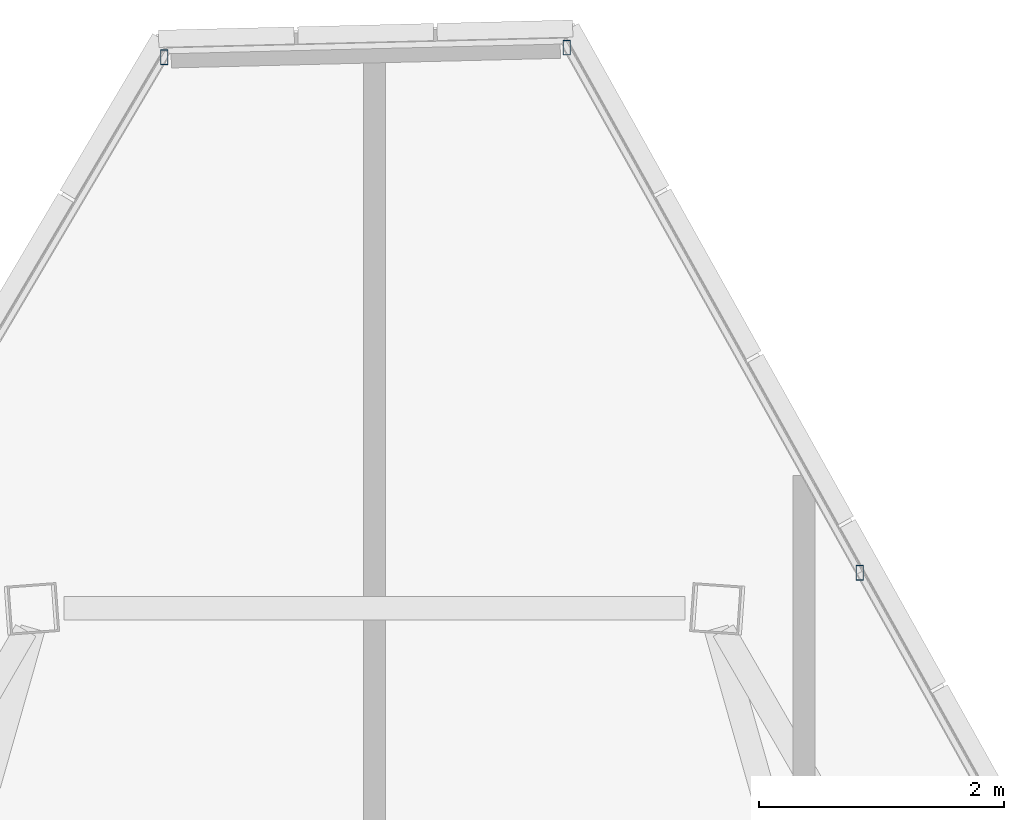
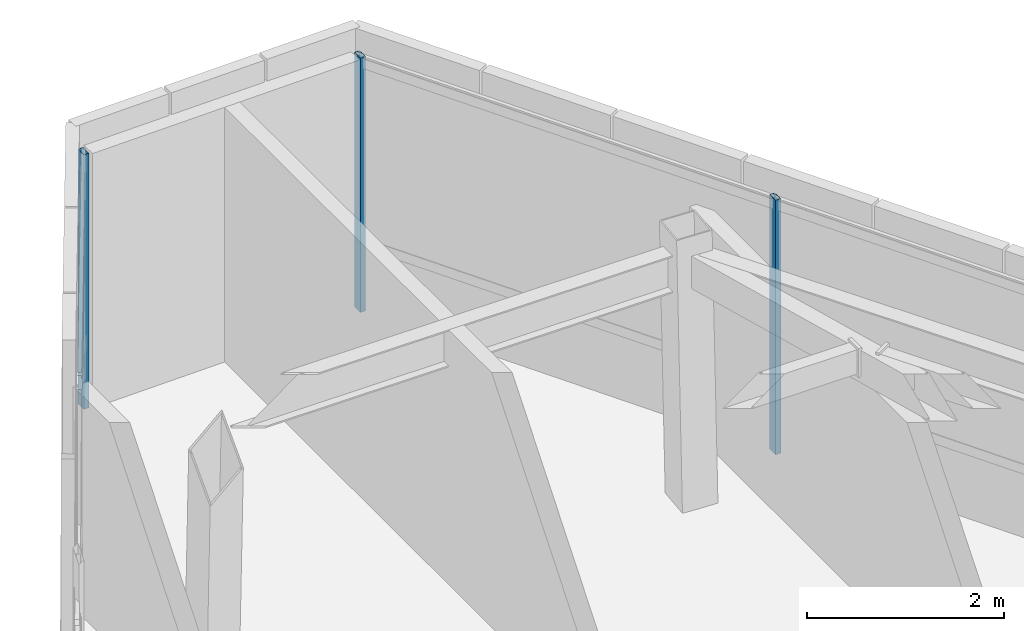
# One storey, part 37 of 48: 3 members, 2 elements without a shape of their own.
"""IFC4 building model written with IfcOpenShell, lengths in metres."""

from ifc_helpers import new_model, si_unit, direction, frame, origin, origin_2d, place, context, subcontext, project, spatial, hollow_rectangle, extrude, source, transform, mapped, material, material_profile, profile_set, type_object, type_shapes, element, aggregate, save


model = new_model("IFC4")

# Units and contexts
model_context = context("Model", 3, precision=1e-05, world=origin(), true_north=direction((0.0, 1.0)))
body_context = subcontext(model_context, "Body", "Model", "MODEL_VIEW")
ifc_project = project(units=[si_unit("LENGTHUNIT", "METRE"), si_unit("AREAUNIT", "SQUARE_METRE"), si_unit("VOLUMEUNIT", "CUBIC_METRE"), si_unit("PLANEANGLEUNIT", "RADIAN"), si_unit("MASSUNIT", "GRAM", prefix="KILO")], contexts=[model_context])

# Site, building, storey
site_placement = place(None, origin())
site = spatial("IfcSite", under=ifc_project, at=site_placement, CompositionType="ELEMENT")
building_placement = place(site_placement, origin())
building = spatial("IfcBuilding", under=site, at=building_placement, Name="Caelisora Broadcast Tower", CompositionType="ELEMENT")
storey_placement = place(building_placement, frame((0.0, 0.0, 300.0)))
storey = spatial("IfcBuildingStorey", under=building, at=storey_placement, Name="L79", CompositionType="ELEMENT", Elevation=300.0)

# Curtain wall, members
ifc_material_1 = material(Name="Unitised Aluminium Insulated Shadow-Box Spandrel Curtain Wall", Category="aluminium")
curtain_wall_type = type_object("IfcCurtainWallType", Name="CW-SP3", PredefinedType="NOTDEFINED", material=ifc_material_1)
curtain_wall_1_placement = place(storey_placement, origin())
curtain_wall_1 = element("IfcCurtainWall", 1, at=curtain_wall_1_placement, inside=storey, type_object=curtain_wall_type, Name="L79 curtain wall CW-SP3", PredefinedType="NOTDEFINED")
ifc_material_2 = material(Name="Aluminium 6063-T6 Anodised Terracotta Bronze", Category="aluminium")
ifc_material_profile = material_profile(ifc_material_2, hollow_rectangle(XDim=0.06005859375, YDim=0.1201171875, WallThickness=0.0029296875, at=origin_2d()), Name="Aluminium 6063-T6 Anodised Terracotta Bronze")
ifc_profile_set = profile_set([ifc_material_profile], Name="Aluminium 6063-T6 Anodised Terracotta Bronze")
member_type = type_object("IfcMemberType", Name="CWM-04", PredefinedType="MULLION", material=ifc_profile_set)
shared_shape = source(origin(), body_context, "Body", "SweptSolid", [
    extrude(hollow_rectangle(XDim=0.06005859375, YDim=0.1201171875, WallThickness=0.0029296875, at=origin_2d()), origin(), (0.0, 0.0, 1.0), 3.14990234375),
])
type_shapes(member_type, [shared_shape])
member_1_placement = place(storey_placement, frame((39.56640625, 51.327392578125, 0.0), z_axis=(0.0, 0.0, 1.0), x_axis=(1.0, 0.0, 0.0)))
member_1 = element("IfcMember", 2, at=member_1_placement, type_object=member_type, Name="L79-CW-B01 mullion #0", PredefinedType="MULLION", context=body_context, shape_type="MappedRepresentation", body=[
    mapped(shared_shape, transform((0.0, 0.0, 0.0), scale=1.0)),
])
member_2_placement = place(storey_placement, frame((41.95458984375, 47.0478515625, 0.0), z_axis=(0.0, 0.0, 1.0), x_axis=(1.0, 0.0, 0.0)))
member_2 = element("IfcMember", 3, at=member_2_placement, type_object=member_type, Name="L79-CW-B01 mullion #1", PredefinedType="MULLION", context=body_context, shape_type="MappedRepresentation", body=[
    mapped(shared_shape, transform((0.0, 0.0, 0.0), scale=1.0)),
])
aggregate(curtain_wall_1, [member_1, member_2])

# Curtain wall, member
curtain_wall_2_placement = place(storey_placement, origin())
curtain_wall_2 = element("IfcCurtainWall", 4, at=curtain_wall_2_placement, inside=storey, type_object=curtain_wall_type, Name="L79 curtain wall CW-SP3", PredefinedType="NOTDEFINED")
member_3_placement = place(storey_placement, frame((36.28564453125, 51.248046875, 0.0), z_axis=(0.0, 0.0, 1.0), x_axis=(1.0, 0.0, 0.0)))
member_3 = element("IfcMember", 5, at=member_3_placement, type_object=member_type, Name="L79-CW-B11 mullion #3", PredefinedType="MULLION", context=body_context, shape_type="MappedRepresentation", body=[
    mapped(shared_shape, transform((0.0, 0.0, 0.0), scale=1.0)),
])
aggregate(curtain_wall_2, [member_3])

save(model, "model.ifc")
